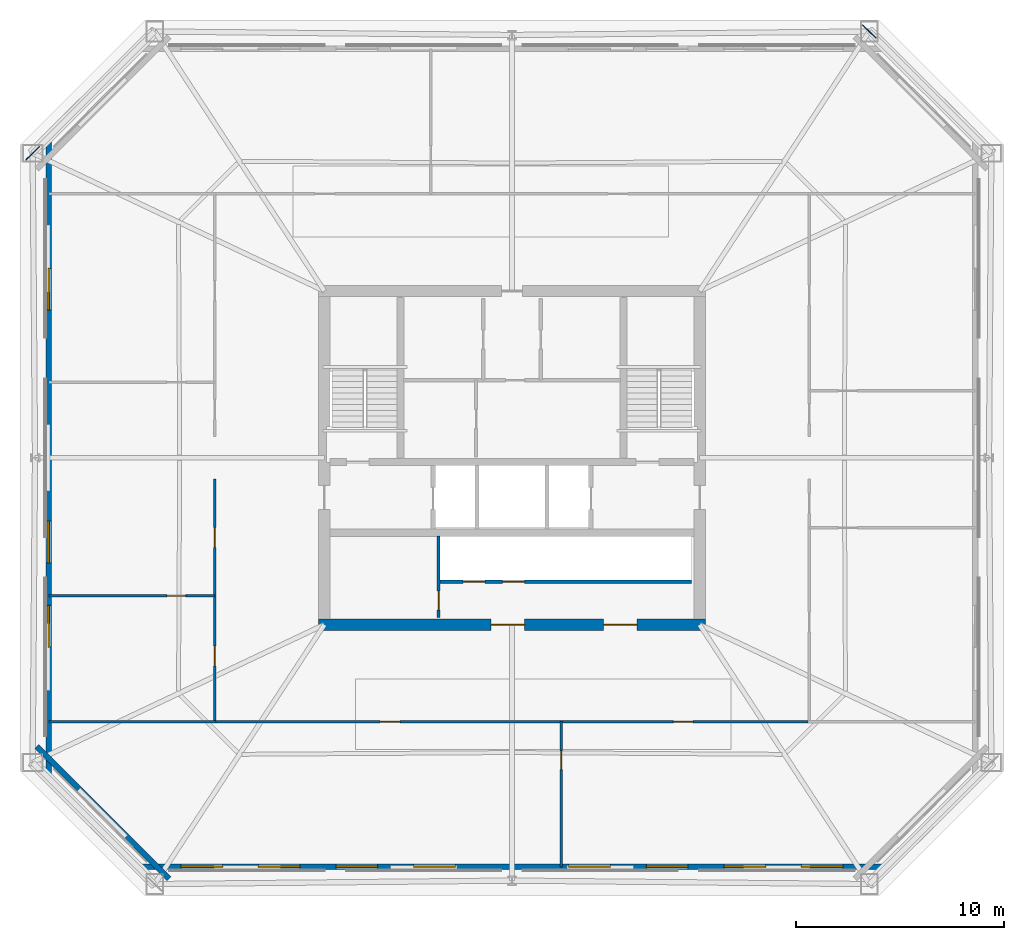
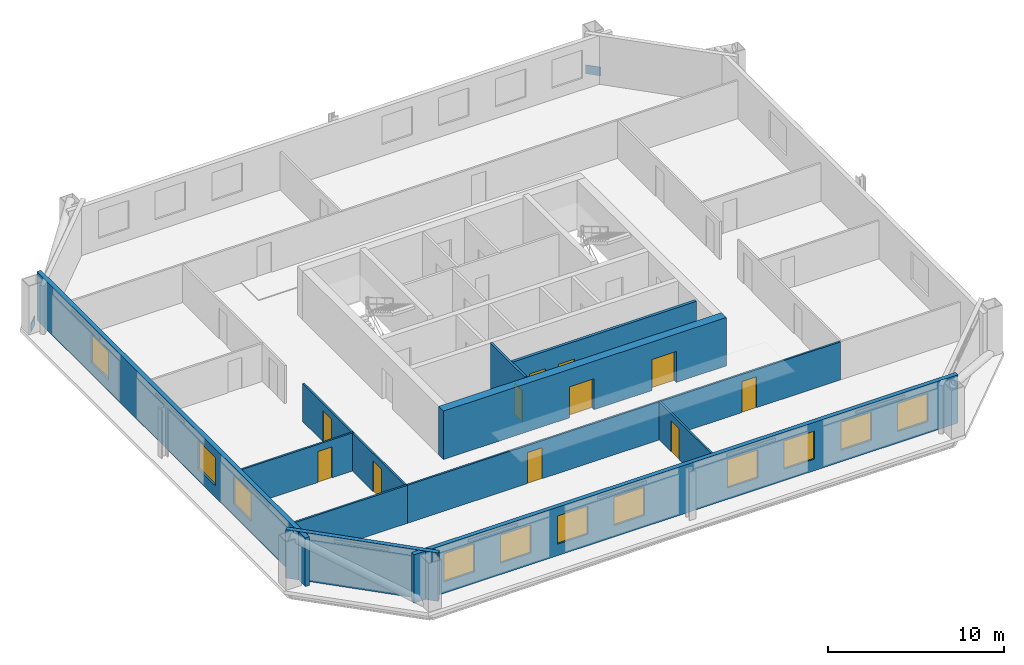
# One storey, part 2 of 6: 11 doors, 11 walls, 11 windows, 2 plates, 22 openings.
"""IFC4 building model written with IfcOpenShell, lengths in metres."""

from ifc_helpers import new_model, si_unit, direction, frame, frame_2d, origin, origin_2d, place, context, subcontext, project, spatial, rectangle, extrude, material, layer, layer_set, type_object, element, fill, save


model = new_model("IFC4")

# Units and contexts
model_context = context("Model", 3, precision=1e-05, world=origin(), true_north=direction((0.0, 1.0)))
body_context = subcontext(model_context, "Body", "Model", "MODEL_VIEW")
ifc_project = project(units=[si_unit("LENGTHUNIT", "METRE"), si_unit("AREAUNIT", "SQUARE_METRE"), si_unit("VOLUMEUNIT", "CUBIC_METRE"), si_unit("PLANEANGLEUNIT", "RADIAN"), si_unit("MASSUNIT", "GRAM", prefix="KILO")], contexts=[model_context])

# Site, building, storey
site_placement = place(None, origin())
site = spatial("IfcSite", under=ifc_project, at=site_placement, CompositionType="ELEMENT")
building_placement = place(site_placement, origin())
building = spatial("IfcBuilding", under=site, at=building_placement, Name="Caelvoria Tower", CompositionType="ELEMENT")
storey_placement = place(building_placement, frame((0.0, 0.0, 120.39990234375)))
storey = spatial("IfcBuildingStorey", under=building, at=storey_placement, Name="L31", CompositionType="ELEMENT", Elevation=120.39990234375)

# Plates
ifc_material_1 = material(Name="Structural Steel ASTM A572 Gr.50", Category="steel")
ifc_layer_1 = layer(ifc_material_1, 0.0400390625, Name="Structural Steel ASTM A572 Gr.50")
ifc_layer_set_1 = layer_set([ifc_layer_1], Name="Megaframe Node Gusset Plate 900x600x40 - Structural Steel ASTM A572 Gr.50")
plate_type = type_object("IfcPlateType", Name="Megaframe Node Gusset Plate 900x600x40", PredefinedType="USERDEFINED", material=ifc_layer_set_1)
for number, where, z_axis, x_axis, name in (
    (1, (63.137451171875, 52.4482421875, 0.02001953125), (0.0, 0.0, 1.0), (0.708345997589, -0.705865389221, 0.0), "Chamfer Mega Brace Gusset L31 NE"),
    (2, (23.007568359375, 46.61376953125, 0.02001953125), (0.0, 0.0, 1.0), (0.708345997589, 0.705865389221, 0.0), "Chamfer Mega Brace Gusset L31 NW"),
):
    element("IfcPlate", number, at=place(storey_placement, frame(where, z_axis=z_axis, x_axis=x_axis)), inside=storey, type_object=plate_type, Name=name, ObjectType="GUSSET_PLATE", PredefinedType="USERDEFINED", context=body_context, shape_type="SweptSolid", body=[
        extrude(rectangle(XDim=0.89990234375, YDim=0.0400390625, at=origin_2d()), origin(), (0.0, 0.0, 1.0), 0.60009765625),
    ])

# Wall, opening, door
ifc_material_2 = material(Name="Double Gypsum Board on Steel Stud", Category="steel")
ifc_layer_2 = layer(ifc_material_2, 0.14990234375, Name="Double Gypsum Board on Steel Stud")
ifc_layer_set_2 = layer_set([ifc_layer_2], Name="Core Service Acoustic Partition Wall 150 - Double Gypsum Board on Steel Stud")
wall_type_1 = type_object("IfcWallType", Name="Core Service Acoustic Partition Wall 150", PredefinedType="PARTITIONING", material=ifc_layer_set_2)
wall_1_placement = place(storey_placement, frame((42.47998046875, 24.35009765625, 0.0), z_axis=(0.0, 0.0, 1.0), x_axis=(0.0, 1.0, 0.0)))
wall_1 = element("IfcWall", 3, at=wall_1_placement, inside=storey, type_object=wall_type_1, Name="Interior Partition IW-L31-RECL1E", PredefinedType="PARTITIONING", context=body_context, shape_type="SweptSolid", body=[
    extrude(rectangle(XDim=3.89990234375, YDim=0.14990234375, at=frame_2d((1.949951171875, 0.0))), origin(), (0.0, 0.0, 1.0), 3.360107421875),
])
opening_1_placement = place(wall_1_placement, frame((0.35009765625, 0.0, 0.0)))
opening_1 = element("IfcOpeningElement", 4, at=opening_1_placement, cuts=wall_1, Name="Opening ID-04", PredefinedType="OPENING", context=body_context, shape_type="SweptSolid", body=[
    extrude(rectangle(XDim=0.89990234375, YDim=2.14990234375, at=frame_2d((0.449951171875, 1.074951171875))), frame((0.0, 0.0849609375, 0.0), z_axis=(0.0, -1.0, 0.0), x_axis=(1.0, 0.0, 0.0)), (0.0, 0.0, 1.0), 0.169921875),
])
ifc_material_3 = material(Name="Acoustic Timber Fire Door", Category="wood")
door_type_1 = type_object("IfcDoorType", Name="Fire Door FD30S 900x2150", OperationType="NOTDEFINED", PredefinedType="DOOR", material=ifc_material_3)
door_1_placement = place(opening_1_placement, origin())
door_1 = element("IfcDoor", 5, at=door_1_placement, inside=storey, type_object=door_type_1, Name="Interior Door DR-L31-RECL1", OperationType="SINGLE_SWING_LEFT", OverallHeight=2.14990234375, OverallWidth=0.89990234375, PredefinedType="DOOR", context=body_context, shape_type="SweptSolid", body=[
    extrude(rectangle(XDim=0.89990234375, YDim=2.14990234375, at=frame_2d((0.449951171875, 1.074951171875))), frame((0.0, 0.02490234375, 0.0), z_axis=(0.0, -1.0, 0.0), x_axis=(1.0, 0.0, 0.0)), (0.0, 0.0, 1.0), 0.050048828125),
])
fill(opening_1, door_1)

# Wall, openings, windows
ifc_material_4 = material(Name="Precast Concrete C40/50 with Bronze Cladding", Category="concrete")
ifc_layer_3 = layer(ifc_material_4, 0.280029296875, Name="Precast Concrete C40/50 with Bronze Cladding")
ifc_layer_set_3 = layer_set([ifc_layer_3], Name="Exterior Precast Concrete C40/50 Bronze-Clad Facade Wall 280 - Precast Concrete C40/50 with Bronze Cladding")
wall_type_2 = type_object("IfcWallType", Name="Exterior Precast Concrete C40/50 Bronze-Clad Facade Wall 280", PredefinedType="STANDARD", material=ifc_layer_set_3)
wall_2_placement = place(storey_placement, frame((28.159912109375, 12.3798828125, 0.0), z_axis=(0.0, 0.0, 1.0), x_axis=(1.0, 0.0, 0.0)))
wall_2 = element("IfcWall", 6, at=wall_2_placement, inside=storey, type_object=wall_type_2, Name="Exterior Facade Wall L31-E0", PredefinedType="STANDARD", context=body_context, shape_type="SweptSolid", body=[
    extrude(rectangle(XDim=35.68017578125, YDim=0.280029296875, at=frame_2d((17.840087890625, 0.0))), origin(), (0.0, 0.0, 1.0), 3.360107421875),
])
opening_2_placement = place(wall_2_placement, frame((1.9599609375, 0.0, 0.800048828125)))
opening_2 = element("IfcOpeningElement", 7, at=opening_2_placement, cuts=wall_2, Name="Opening WN-01", PredefinedType="OPENING", context=body_context, shape_type="SweptSolid", body=[
    extrude(rectangle(XDim=2.0, YDim=1.949951171875, at=frame_2d((1.0, 0.97509765625))), frame((0.0, 0.14990234375, 0.0), z_axis=(0.0, -1.0, 0.0), x_axis=(1.0, 0.0, 0.0)), (0.0, 0.0, 1.0), 0.300048828125),
])
opening_3_placement = place(wall_2_placement, frame((5.679931640625, 0.0, 0.800048828125)))
opening_3 = element("IfcOpeningElement", 8, at=opening_3_placement, cuts=wall_2, Name="Opening WN-01", PredefinedType="OPENING", context=body_context, shape_type="SweptSolid", body=[
    extrude(rectangle(XDim=2.0, YDim=1.949951171875, at=frame_2d((1.0, 0.97509765625))), frame((0.0, 0.14990234375, 0.0), z_axis=(0.0, -1.0, 0.0), x_axis=(1.0, 0.0, 0.0)), (0.0, 0.0, 1.0), 0.300048828125),
])
opening_4_placement = place(wall_2_placement, frame((9.39990234375, 0.0, 0.800048828125)))
opening_4 = element("IfcOpeningElement", 9, at=opening_4_placement, cuts=wall_2, Name="Opening WN-01", PredefinedType="OPENING", context=body_context, shape_type="SweptSolid", body=[
    extrude(rectangle(XDim=2.0, YDim=1.949951171875, at=frame_2d((1.0, 0.97509765625))), frame((0.0, 0.14990234375, 0.0), z_axis=(0.0, -1.0, 0.0), x_axis=(1.0, 0.0, 0.0)), (0.0, 0.0, 1.0), 0.300048828125),
])
opening_5_placement = place(wall_2_placement, frame((13.1201171875, 0.0, 0.800048828125)))
opening_5 = element("IfcOpeningElement", 10, at=opening_5_placement, cuts=wall_2, Name="Opening WN-01", PredefinedType="OPENING", context=body_context, shape_type="SweptSolid", body=[
    extrude(rectangle(XDim=2.0, YDim=1.949951171875, at=frame_2d((1.0, 0.97509765625))), frame((0.0, 0.14990234375, 0.0), z_axis=(0.0, -1.0, 0.0), x_axis=(1.0, 0.0, 0.0)), (0.0, 0.0, 1.0), 0.300048828125),
])
opening_6_placement = place(wall_2_placement, frame((20.56005859375, 0.0, 0.800048828125)))
opening_6 = element("IfcOpeningElement", 11, at=opening_6_placement, cuts=wall_2, Name="Opening WN-01", PredefinedType="OPENING", context=body_context, shape_type="SweptSolid", body=[
    extrude(rectangle(XDim=2.0, YDim=1.949951171875, at=frame_2d((1.0, 0.97509765625))), frame((0.0, 0.14990234375, 0.0), z_axis=(0.0, -1.0, 0.0), x_axis=(1.0, 0.0, 0.0)), (0.0, 0.0, 1.0), 0.300048828125),
])
opening_7_placement = place(wall_2_placement, frame((24.280029296875, 0.0, 0.800048828125)))
opening_7 = element("IfcOpeningElement", 12, at=opening_7_placement, cuts=wall_2, Name="Opening WN-01", PredefinedType="OPENING", context=body_context, shape_type="SweptSolid", body=[
    extrude(rectangle(XDim=2.0, YDim=1.949951171875, at=frame_2d((1.0, 0.97509765625))), frame((0.0, 0.14990234375, 0.0), z_axis=(0.0, -1.0, 0.0), x_axis=(1.0, 0.0, 0.0)), (0.0, 0.0, 1.0), 0.300048828125),
])
opening_8_placement = place(wall_2_placement, frame((28.0, 0.0, 0.800048828125)))
opening_8 = element("IfcOpeningElement", 13, at=opening_8_placement, cuts=wall_2, Name="Opening WN-01", PredefinedType="OPENING", context=body_context, shape_type="SweptSolid", body=[
    extrude(rectangle(XDim=2.0, YDim=1.949951171875, at=frame_2d((1.0, 0.97509765625))), frame((0.0, 0.14990234375, 0.0), z_axis=(0.0, -1.0, 0.0), x_axis=(1.0, 0.0, 0.0)), (0.0, 0.0, 1.0), 0.300048828125),
])
opening_9_placement = place(wall_2_placement, frame((31.719970703125, 0.0, 0.800048828125)))
opening_9 = element("IfcOpeningElement", 14, at=opening_9_placement, cuts=wall_2, Name="Opening WN-01", PredefinedType="OPENING", context=body_context, shape_type="SweptSolid", body=[
    extrude(rectangle(XDim=2.0, YDim=1.949951171875, at=frame_2d((1.0, 0.97509765625))), frame((0.0, 0.14990234375, 0.0), z_axis=(0.0, -1.0, 0.0), x_axis=(1.0, 0.0, 0.0)), (0.0, 0.0, 1.0), 0.300048828125),
])
ifc_material_5 = material(Name="Low-E Tinted Glass in Bronze Aluminium Frame", Category="aluminium")
window_type = type_object("IfcWindowType", Name="Tower Office Vision Window 2000x1950", PartitioningType="SINGLE_PANEL", PredefinedType="WINDOW", material=ifc_material_5)
window_1_placement = place(opening_2_placement, origin())
window_1 = element("IfcWindow", 15, at=window_1_placement, inside=storey, type_object=window_type, Name="Facade Window L31-E0-00", OverallHeight=1.949951171875, OverallWidth=2.0, PartitioningType="SINGLE_PANEL", PredefinedType="WINDOW", context=body_context, shape_type="SweptSolid", body=[
    extrude(rectangle(XDim=2.0, YDim=1.949951171875, at=frame_2d((1.0, 0.97509765625))), frame((0.0, 0.030029296875, 0.0), z_axis=(0.0, -1.0, 0.0), x_axis=(1.0, 0.0, 0.0)), (0.0, 0.0, 1.0), 0.06005859375),
])
fill(opening_2, window_1)
window_2_placement = place(opening_3_placement, origin())
window_2 = element("IfcWindow", 16, at=window_2_placement, inside=storey, type_object=window_type, Name="Facade Window L31-E0-01", OverallHeight=1.949951171875, OverallWidth=2.0, PartitioningType="SINGLE_PANEL", PredefinedType="WINDOW", context=body_context, shape_type="SweptSolid", body=[
    extrude(rectangle(XDim=2.0, YDim=1.949951171875, at=frame_2d((1.0, 0.97509765625))), frame((0.0, 0.030029296875, 0.0), z_axis=(0.0, -1.0, 0.0), x_axis=(1.0, 0.0, 0.0)), (0.0, 0.0, 1.0), 0.06005859375),
])
fill(opening_3, window_2)
window_3_placement = place(opening_4_placement, origin())
window_3 = element("IfcWindow", 17, at=window_3_placement, inside=storey, type_object=window_type, Name="Facade Window L31-E0-02", OverallHeight=1.949951171875, OverallWidth=2.0, PartitioningType="SINGLE_PANEL", PredefinedType="WINDOW", context=body_context, shape_type="SweptSolid", body=[
    extrude(rectangle(XDim=2.0, YDim=1.949951171875, at=frame_2d((1.0, 0.97509765625))), frame((0.0, 0.030029296875, 0.0), z_axis=(0.0, -1.0, 0.0), x_axis=(1.0, 0.0, 0.0)), (0.0, 0.0, 1.0), 0.06005859375),
])
fill(opening_4, window_3)
window_4_placement = place(opening_5_placement, origin())
window_4 = element("IfcWindow", 18, at=window_4_placement, inside=storey, type_object=window_type, Name="Facade Window L31-E0-03", OverallHeight=1.949951171875, OverallWidth=2.0, PartitioningType="SINGLE_PANEL", PredefinedType="WINDOW", context=body_context, shape_type="SweptSolid", body=[
    extrude(rectangle(XDim=2.0, YDim=1.949951171875, at=frame_2d((1.0, 0.97509765625))), frame((0.0, 0.030029296875, 0.0), z_axis=(0.0, -1.0, 0.0), x_axis=(1.0, 0.0, 0.0)), (0.0, 0.0, 1.0), 0.06005859375),
])
fill(opening_5, window_4)
window_5_placement = place(opening_6_placement, origin())
window_5 = element("IfcWindow", 19, at=window_5_placement, inside=storey, type_object=window_type, Name="Facade Window L31-E0-05", OverallHeight=1.949951171875, OverallWidth=2.0, PartitioningType="SINGLE_PANEL", PredefinedType="WINDOW", context=body_context, shape_type="SweptSolid", body=[
    extrude(rectangle(XDim=2.0, YDim=1.949951171875, at=frame_2d((1.0, 0.97509765625))), frame((0.0, 0.030029296875, 0.0), z_axis=(0.0, -1.0, 0.0), x_axis=(1.0, 0.0, 0.0)), (0.0, 0.0, 1.0), 0.06005859375),
])
fill(opening_6, window_5)
window_6_placement = place(opening_7_placement, origin())
window_6 = element("IfcWindow", 20, at=window_6_placement, inside=storey, type_object=window_type, Name="Facade Window L31-E0-06", OverallHeight=1.949951171875, OverallWidth=2.0, PartitioningType="SINGLE_PANEL", PredefinedType="WINDOW", context=body_context, shape_type="SweptSolid", body=[
    extrude(rectangle(XDim=2.0, YDim=1.949951171875, at=frame_2d((1.0, 0.97509765625))), frame((0.0, 0.030029296875, 0.0), z_axis=(0.0, -1.0, 0.0), x_axis=(1.0, 0.0, 0.0)), (0.0, 0.0, 1.0), 0.06005859375),
])
fill(opening_7, window_6)
window_7_placement = place(opening_8_placement, origin())
window_7 = element("IfcWindow", 21, at=window_7_placement, inside=storey, type_object=window_type, Name="Facade Window L31-E0-07", OverallHeight=1.949951171875, OverallWidth=2.0, PartitioningType="SINGLE_PANEL", PredefinedType="WINDOW", context=body_context, shape_type="SweptSolid", body=[
    extrude(rectangle(XDim=2.0, YDim=1.949951171875, at=frame_2d((1.0, 0.97509765625))), frame((0.0, 0.030029296875, 0.0), z_axis=(0.0, -1.0, 0.0), x_axis=(1.0, 0.0, 0.0)), (0.0, 0.0, 1.0), 0.06005859375),
])
fill(opening_8, window_7)
window_8_placement = place(opening_9_placement, origin())
window_8 = element("IfcWindow", 22, at=window_8_placement, inside=storey, type_object=window_type, Name="Facade Window L31-E0-08", OverallHeight=1.949951171875, OverallWidth=2.0, PartitioningType="SINGLE_PANEL", PredefinedType="WINDOW", context=body_context, shape_type="SweptSolid", body=[
    extrude(rectangle(XDim=2.0, YDim=1.949951171875, at=frame_2d((1.0, 0.97509765625))), frame((0.0, 0.030029296875, 0.0), z_axis=(0.0, -1.0, 0.0), x_axis=(1.0, 0.0, 0.0)), (0.0, 0.0, 1.0), 0.06005859375),
])
fill(opening_9, window_8)

wall_3_placement = place(storey_placement, frame((23.780029296875, 47.239990234375, 0.0), z_axis=(0.0, 0.0, 1.0), x_axis=(0.0, -1.0, 0.0)))
wall_3 = element("IfcWall", 23, at=wall_3_placement, inside=storey, type_object=wall_type_2, Name="Exterior Facade Wall L31-E6", PredefinedType="STANDARD", context=body_context, shape_type="SweptSolid", body=[
    extrude(rectangle(XDim=30.47998046875, YDim=0.280029296875, at=frame_2d((15.239990234375, 0.0))), origin(), (0.0, 0.0, 1.0), 3.360107421875),
])
opening_10_placement = place(wall_3_placement, frame((6.159912109375, 0.0, 0.800048828125)))
opening_10 = element("IfcOpeningElement", 24, at=opening_10_placement, cuts=wall_3, Name="Opening WN-01", PredefinedType="OPENING", context=body_context, shape_type="SweptSolid", body=[
    extrude(rectangle(XDim=2.0, YDim=1.949951171875, at=frame_2d((1.0, 0.97509765625))), frame((0.0, 0.14990234375, 0.0), z_axis=(0.0, -1.0, 0.0), x_axis=(1.0, 0.0, 0.0)), (0.0, 0.0, 1.0), 0.300048828125),
])
opening_11_placement = place(wall_3_placement, frame((18.280029296875, 0.0, 0.800048828125)))
opening_11 = element("IfcOpeningElement", 25, at=opening_11_placement, cuts=wall_3, Name="Opening WN-01", PredefinedType="OPENING", context=body_context, shape_type="SweptSolid", body=[
    extrude(rectangle(XDim=2.0, YDim=1.949951171875, at=frame_2d((1.0, 0.97509765625))), frame((0.0, 0.14990234375, 0.0), z_axis=(0.0, -1.0, 0.0), x_axis=(1.0, 0.0, 0.0)), (0.0, 0.0, 1.0), 0.300048828125),
])
opening_12_placement = place(wall_3_placement, frame((22.320068359375, 0.0, 0.800048828125)))
opening_12 = element("IfcOpeningElement", 26, at=opening_12_placement, cuts=wall_3, Name="Opening WN-01", PredefinedType="OPENING", context=body_context, shape_type="SweptSolid", body=[
    extrude(rectangle(XDim=2.0, YDim=1.949951171875, at=frame_2d((1.0, 0.97509765625))), frame((0.0, 0.14990234375, 0.0), z_axis=(0.0, -1.0, 0.0), x_axis=(1.0, 0.0, 0.0)), (0.0, 0.0, 1.0), 0.300048828125),
])
window_9_placement = place(opening_10_placement, origin())
window_9 = element("IfcWindow", 27, at=window_9_placement, inside=storey, type_object=window_type, Name="Facade Window L31-E6-01", OverallHeight=1.949951171875, OverallWidth=2.0, PartitioningType="SINGLE_PANEL", PredefinedType="WINDOW", context=body_context, shape_type="SweptSolid", body=[
    extrude(rectangle(XDim=2.0, YDim=1.949951171875, at=frame_2d((1.0, 0.97509765625))), frame((0.0, 0.030029296875, 0.0), z_axis=(0.0, -1.0, 0.0), x_axis=(1.0, 0.0, 0.0)), (0.0, 0.0, 1.0), 0.06005859375),
])
fill(opening_10, window_9)
window_10_placement = place(opening_11_placement, origin())
window_10 = element("IfcWindow", 28, at=window_10_placement, inside=storey, type_object=window_type, Name="Facade Window L31-E6-04", OverallHeight=1.949951171875, OverallWidth=2.0, PartitioningType="SINGLE_PANEL", PredefinedType="WINDOW", context=body_context, shape_type="SweptSolid", body=[
    extrude(rectangle(XDim=2.0, YDim=1.949951171875, at=frame_2d((1.0, 0.97509765625))), frame((0.0, 0.030029296875, 0.0), z_axis=(0.0, -1.0, 0.0), x_axis=(1.0, 0.0, 0.0)), (0.0, 0.0, 1.0), 0.06005859375),
])
fill(opening_11, window_10)
window_11_placement = place(opening_12_placement, origin())
window_11 = element("IfcWindow", 29, at=window_11_placement, inside=storey, type_object=window_type, Name="Facade Window L31-E6-05", OverallHeight=1.949951171875, OverallWidth=2.0, PartitioningType="SINGLE_PANEL", PredefinedType="WINDOW", context=body_context, shape_type="SweptSolid", body=[
    extrude(rectangle(XDim=2.0, YDim=1.949951171875, at=frame_2d((1.0, 0.97509765625))), frame((0.0, 0.030029296875, 0.0), z_axis=(0.0, -1.0, 0.0), x_axis=(1.0, 0.0, 0.0)), (0.0, 0.0, 1.0), 0.06005859375),
])
fill(opening_12, window_11)

# Wall
wall_4_placement = place(storey_placement, frame((23.2060546875, 18.1455078125, 0.0), z_axis=(0.0, 0.0, 1.0), x_axis=(0.707106781187, -0.707106781187, 0.0)))
element("IfcWall", 30, at=wall_4_placement, inside=storey, type_object=wall_type_2, Name="Exterior Facade Wall L31-E7", PredefinedType="STANDARD", context=body_context, shape_type="SweptSolid", body=[
    extrude(rectangle(XDim=8.965087890625, YDim=0.280029296875, at=frame_2d((4.482421875, 0.0))), origin(), (0.0, 0.0, 1.0), 3.360107421875),
])

# Wall, openings, doors
ifc_material_6 = material(Name="Concrete Block and Fireboard Assembly", Category="concrete")
ifc_layer_4 = layer(ifc_material_6, 0.179931640625, Name="Concrete Block and Fireboard Assembly")
ifc_layer_set_4 = layer_set([ifc_layer_4], Name="Fire-Rated Hoistway Partition Wall 180 - Concrete Block and Fireboard Assembly")
wall_type_3 = type_object("IfcWallType", Name="Fire-Rated Hoistway Partition Wall 180", PredefinedType="PARTITIONING", material=ifc_layer_set_4)
wall_5_placement = place(storey_placement, frame((42.550048828125, 26.050048828125, 0.0), z_axis=(0.0, 0.0, 1.0), x_axis=(1.0, 0.0, 0.0)))
wall_5 = element("IfcWall", 31, at=wall_5_placement, inside=storey, type_object=wall_type_3, Name="Interior Partition IW-L31-LFRONT", PredefinedType="PARTITIONING", context=body_context, shape_type="SweptSolid", body=[
    extrude(rectangle(XDim=12.050048828125, YDim=0.179931640625, at=frame_2d((6.02490234375, 0.0))), origin(), (0.0, 0.0, 1.0), 3.360107421875),
])
opening_13_placement = place(wall_5_placement, frame((1.10009765625, 0.0, 0.0)))
opening_13 = element("IfcOpeningElement", 32, at=opening_13_placement, cuts=wall_5, Name="Opening LD-01", PredefinedType="OPENING", context=body_context, shape_type="SweptSolid", body=[
    extrude(rectangle(XDim=1.050048828125, YDim=2.14990234375, at=frame_2d((0.52490234375, 1.074951171875))), frame((0.0, 0.099853515625, 0.0), z_axis=(0.0, -1.0, 0.0), x_axis=(1.0, 0.0, 0.0)), (0.0, 0.0, 1.0), 0.199951171875),
])
opening_14_placement = place(wall_5_placement, frame((3.0, 0.0, 0.0)))
opening_14 = element("IfcOpeningElement", 33, at=opening_14_placement, cuts=wall_5, Name="Opening LD-01", PredefinedType="OPENING", context=body_context, shape_type="SweptSolid", body=[
    extrude(rectangle(XDim=1.050048828125, YDim=2.14990234375, at=frame_2d((0.52490234375, 1.074951171875))), frame((0.0, 0.099853515625, 0.0), z_axis=(0.0, -1.0, 0.0), x_axis=(1.0, 0.0, 0.0)), (0.0, 0.0, 1.0), 0.199951171875),
])
ifc_material_7 = material(Name="Brushed Bronze Stainless Sliding Landing Door", Category="aluminium")
door_type_2 = type_object("IfcDoorType", Name="Lift Landing Sliding Door 1100x2150", OperationType="NOTDEFINED", PredefinedType="DOOR", material=ifc_material_7)
door_2_placement = place(opening_13_placement, origin())
door_2 = element("IfcDoor", 34, at=door_2_placement, inside=storey, type_object=door_type_2, Name="Interior Door LD-L31-PM1", OperationType="SLIDING_TO_LEFT", OverallHeight=2.14990234375, OverallWidth=1.050048828125, PredefinedType="DOOR", context=body_context, shape_type="SweptSolid", body=[
    extrude(rectangle(XDim=1.050048828125, YDim=2.14990234375, at=frame_2d((0.52490234375, 1.074951171875))), frame((0.0, 0.02490234375, 0.0), z_axis=(0.0, -1.0, 0.0), x_axis=(1.0, 0.0, 0.0)), (0.0, 0.0, 1.0), 0.050048828125),
])
fill(opening_13, door_2)
door_3_placement = place(opening_14_placement, origin())
door_3 = element("IfcDoor", 35, at=door_3_placement, inside=storey, type_object=door_type_2, Name="Interior Door LD-L31-PM2", OperationType="SLIDING_TO_RIGHT", OverallHeight=2.14990234375, OverallWidth=1.050048828125, PredefinedType="DOOR", context=body_context, shape_type="SweptSolid", body=[
    extrude(rectangle(XDim=1.050048828125, YDim=2.14990234375, at=frame_2d((0.52490234375, 1.074951171875))), frame((0.0, 0.02490234375, 0.0), z_axis=(0.0, -1.0, 0.0), x_axis=(1.0, 0.0, 0.0)), (0.0, 0.0, 1.0), 0.050048828125),
])
fill(opening_14, door_3)

ifc_material_8 = material(Name="Concrete C55/67", Category="concrete")
ifc_layer_5 = layer(ifc_material_8, 0.550048828125, Name="Concrete C55/67")
ifc_layer_set_5 = layer_set([ifc_layer_5], Name="Mid Core Shear Wall 550 - Concrete C55/67")
wall_type_4 = type_object("IfcWallType", Name="Mid Core Shear Wall 550", PredefinedType="SHEAR", material=ifc_layer_set_5)
wall_6_placement = place(storey_placement, frame((36.72509765625, 24.0, 0.0), z_axis=(0.0, 0.0, 1.0), x_axis=(1.0, 0.0, 0.0)))
wall_6 = element("IfcWall", 36, at=wall_6_placement, inside=storey, type_object=wall_type_4, Name="Core Shear Wall L31 S", PredefinedType="SHEAR", context=body_context, shape_type="SweptSolid", body=[
    extrude(rectangle(XDim=18.5498046875, YDim=0.550048828125, at=frame_2d((9.27490234375, 0.0))), origin(), (0.0, 0.0, 1.0), 3.360107421875),
])
opening_15_placement = place(wall_6_placement, frame((8.27490234375, 0.0, 0.0)))
opening_15 = element("IfcOpeningElement", 37, at=opening_15_placement, cuts=wall_6, Name="Opening ID-08", PredefinedType="OPENING", context=body_context, shape_type="SweptSolid", body=[
    extrude(rectangle(XDim=1.60009765625, YDim=2.14990234375, at=frame_2d((0.800048828125, 1.074951171875))), frame((0.0, 0.284912109375, 0.0), z_axis=(0.0, -1.0, 0.0), x_axis=(1.0, 0.0, 0.0)), (0.0, 0.0, 1.0), 0.570068359375),
])
opening_16_placement = place(wall_6_placement, frame((13.675048828125, 0.0, 0.0)))
opening_16 = element("IfcOpeningElement", 38, at=opening_16_placement, cuts=wall_6, Name="Opening ID-08", PredefinedType="OPENING", context=body_context, shape_type="SweptSolid", body=[
    extrude(rectangle(XDim=1.60009765625, YDim=2.14990234375, at=frame_2d((0.800048828125, 1.074951171875))), frame((0.0, 0.284912109375, 0.0), z_axis=(0.0, -1.0, 0.0), x_axis=(1.0, 0.0, 0.0)), (0.0, 0.0, 1.0), 0.570068359375),
])
ifc_material_9 = material(Name="Bronze-Framed Fire-Rated Glazed Double Door", Category="aluminium")
door_type_3 = type_object("IfcDoorType", Name="Double Lobby Glazed Door 1600x2200", OperationType="NOTDEFINED", PredefinedType="DOOR", material=ifc_material_9)
door_4_placement = place(opening_15_placement, origin())
door_4 = element("IfcDoor", 39, at=door_4_placement, inside=storey, type_object=door_type_3, Name="Core Door DR-L31-LLOB-S1", OperationType="DOUBLE_DOOR_SINGLE_SWING", OverallHeight=2.14990234375, OverallWidth=1.60009765625, PredefinedType="DOOR", context=body_context, shape_type="SweptSolid", body=[
    extrude(rectangle(XDim=1.60009765625, YDim=2.14990234375, at=frame_2d((0.800048828125, 1.074951171875))), frame((0.0, 0.02490234375, 0.0), z_axis=(0.0, -1.0, 0.0), x_axis=(1.0, 0.0, 0.0)), (0.0, 0.0, 1.0), 0.050048828125),
])
fill(opening_15, door_4)
door_5_placement = place(opening_16_placement, origin())
door_5 = element("IfcDoor", 40, at=door_5_placement, inside=storey, type_object=door_type_3, Name="Core Door DR-L31-LLOB-S2", OperationType="DOUBLE_DOOR_SINGLE_SWING", OverallHeight=2.14990234375, OverallWidth=1.60009765625, PredefinedType="DOOR", context=body_context, shape_type="SweptSolid", body=[
    extrude(rectangle(XDim=1.60009765625, YDim=2.14990234375, at=frame_2d((0.800048828125, 1.074951171875))), frame((0.0, 0.02490234375, 0.0), z_axis=(0.0, -1.0, 0.0), x_axis=(1.0, 0.0, 0.0)), (0.0, 0.0, 1.0), 0.050048828125),
])
fill(opening_16, door_5)

# Wall, opening, door
ifc_material_10 = material(Name="Acoustic Gypsum Board on Light-Gauge Stud", Category="gypsum")
ifc_layer_6 = layer(ifc_material_10, 0.1201171875, Name="Acoustic Gypsum Board on Light-Gauge Stud")
ifc_layer_set_6 = layer_set([ifc_layer_6], Name="Tenant Suite Acoustic Partition Wall 120 - Acoustic Gypsum Board on Light-Gauge Stud")
wall_type_5 = type_object("IfcWallType", Name="Tenant Suite Acoustic Partition Wall 120", PredefinedType="PARTITIONING", material=ifc_layer_set_6)
wall_7_placement = place(storey_placement, frame((48.366455078125, 19.340087890625, 0.0), z_axis=(0.0, 0.0, 1.0), x_axis=(0.0, -1.0, 0.0)))
wall_7 = element("IfcWall", 41, at=wall_7_placement, inside=storey, type_object=wall_type_5, Name="Interior Partition IW-L31-SD-00-0", PredefinedType="PARTITIONING", context=body_context, shape_type="SweptSolid", body=[
    extrude(rectangle(XDim=6.960205078125, YDim=0.1201171875, at=frame_2d((3.47998046875, 0.0))), origin(), (0.0, 0.0, 1.0), 2.64013671875),
])
opening_17_placement = place(wall_7_placement, frame((1.39990234375, 0.0, 0.0)))
opening_17 = element("IfcOpeningElement", 42, at=opening_17_placement, cuts=wall_7, Name="Opening ID-06", PredefinedType="OPENING", context=body_context, shape_type="SweptSolid", body=[
    extrude(rectangle(XDim=0.89990234375, YDim=2.14990234375, at=frame_2d((0.449951171875, 1.074951171875))), frame((0.0, 0.070068359375, 0.0), z_axis=(0.0, -1.0, 0.0), x_axis=(1.0, 0.0, 0.0)), (0.0, 0.0, 1.0), 0.14013671875),
])
ifc_material_11 = material(Name="Engineered Andean Oak Veneer Door", Category="wood")
door_type_4 = type_object("IfcDoorType", Name="Interior Timber Door 900x2150", OperationType="NOTDEFINED", PredefinedType="DOOR", material=ifc_material_11)
door_6_placement = place(opening_17_placement, origin())
door_6 = element("IfcDoor", 43, at=door_6_placement, inside=storey, type_object=door_type_4, Name="Interior Door DR-L31-SM-00-0", OperationType="SINGLE_SWING_RIGHT", OverallHeight=2.14990234375, OverallWidth=0.89990234375, PredefinedType="DOOR", context=body_context, shape_type="SweptSolid", body=[
    extrude(rectangle(XDim=0.89990234375, YDim=2.14990234375, at=frame_2d((0.449951171875, 1.074951171875))), frame((0.0, 0.02490234375, 0.0), z_axis=(0.0, -1.0, 0.0), x_axis=(1.0, 0.0, 0.0)), (0.0, 0.0, 1.0), 0.050048828125),
])
fill(opening_17, door_6)

# Wall, openings, doors
wall_8_placement = place(storey_placement, frame((31.800048828125, 19.340087890625, 0.0), z_axis=(0.0, 0.0, 1.0), x_axis=(1.0, 0.0, 0.0)))
wall_8 = element("IfcWall", 44, at=wall_8_placement, inside=storey, type_object=wall_type_5, Name="Interior Partition IW-L31-SCW-0", PredefinedType="PARTITIONING", context=body_context, shape_type="SweptSolid", body=[
    extrude(rectangle(XDim=28.39990234375, YDim=0.1201171875, at=frame_2d((14.199951171875, 0.0))), origin(), (0.0, 0.0, 1.0), 2.64013671875),
])
opening_18_placement = place(wall_8_placement, frame((7.878173828125, 0.0, 0.0)))
opening_18 = element("IfcOpeningElement", 45, at=opening_18_placement, cuts=wall_8, Name="Opening ID-05", PredefinedType="OPENING", context=body_context, shape_type="SweptSolid", body=[
    extrude(rectangle(XDim=0.949951171875, YDim=2.14990234375, at=frame_2d((0.47509765625, 1.074951171875))), frame((0.0, 0.070068359375, 0.0), z_axis=(0.0, -1.0, 0.0), x_axis=(1.0, 0.0, 0.0)), (0.0, 0.0, 1.0), 0.14013671875),
])
opening_19_placement = place(wall_8_placement, frame((21.938232421875, 0.0, 0.0)))
opening_19 = element("IfcOpeningElement", 46, at=opening_19_placement, cuts=wall_8, Name="Opening ID-05", PredefinedType="OPENING", context=body_context, shape_type="SweptSolid", body=[
    extrude(rectangle(XDim=0.949951171875, YDim=2.14990234375, at=frame_2d((0.47509765625, 1.074951171875))), frame((0.0, 0.070068359375, 0.0), z_axis=(0.0, -1.0, 0.0), x_axis=(1.0, 0.0, 0.0)), (0.0, 0.0, 1.0), 0.14013671875),
])
door_type_5 = type_object("IfcDoorType", Name="Interior Timber Door 950x2150", OperationType="NOTDEFINED", PredefinedType="DOOR", material=ifc_material_11)
door_7_placement = place(opening_18_placement, origin())
door_7 = element("IfcDoor", 47, at=door_7_placement, inside=storey, type_object=door_type_5, Name="Interior Door DR-L31-SC-00-0", OperationType="SINGLE_SWING_RIGHT", OverallHeight=2.14990234375, OverallWidth=0.949951171875, PredefinedType="DOOR", context=body_context, shape_type="SweptSolid", body=[
    extrude(rectangle(XDim=0.949951171875, YDim=2.14990234375, at=frame_2d((0.47509765625, 1.074951171875))), frame((0.0, 0.02490234375, 0.0), z_axis=(0.0, -1.0, 0.0), x_axis=(1.0, 0.0, 0.0)), (0.0, 0.0, 1.0), 0.050048828125),
])
fill(opening_18, door_7)
door_8_placement = place(opening_19_placement, origin())
door_8 = element("IfcDoor", 48, at=door_8_placement, inside=storey, type_object=door_type_5, Name="Interior Door DR-L31-SC-01-0", OperationType="SINGLE_SWING_LEFT", OverallHeight=2.14990234375, OverallWidth=0.949951171875, PredefinedType="DOOR", context=body_context, shape_type="SweptSolid", body=[
    extrude(rectangle(XDim=0.949951171875, YDim=2.14990234375, at=frame_2d((0.47509765625, 1.074951171875))), frame((0.0, 0.02490234375, 0.0), z_axis=(0.0, -1.0, 0.0), x_axis=(1.0, 0.0, 0.0)), (0.0, 0.0, 1.0), 0.050048828125),
])
fill(opening_19, door_8)

# Wall, opening, door
wall_9_placement = place(storey_placement, frame((31.739990234375, 25.382568359375, 0.0), z_axis=(0.0, 0.0, 1.0), x_axis=(-1.0, 0.0, 0.0)))
wall_9 = element("IfcWall", 49, at=wall_9_placement, inside=storey, type_object=wall_type_5, Name="Interior Partition IW-L31-WD-00-0", PredefinedType="PARTITIONING", context=body_context, shape_type="SweptSolid", body=[
    extrude(rectangle(XDim=7.9599609375, YDim=0.1201171875, at=frame_2d((3.97998046875, 0.0))), origin(), (0.0, 0.0, 1.0), 2.64013671875),
])
opening_20_placement = place(wall_9_placement, frame((1.39990234375, 0.0, 0.0)))
opening_20 = element("IfcOpeningElement", 50, at=opening_20_placement, cuts=wall_9, Name="Opening ID-06", PredefinedType="OPENING", context=body_context, shape_type="SweptSolid", body=[
    extrude(rectangle(XDim=0.89990234375, YDim=2.14990234375, at=frame_2d((0.449951171875, 1.074951171875))), frame((0.0, 0.070068359375, 0.0), z_axis=(0.0, -1.0, 0.0), x_axis=(1.0, 0.0, 0.0)), (0.0, 0.0, 1.0), 0.14013671875),
])
door_9_placement = place(opening_20_placement, origin())
door_9 = element("IfcDoor", 51, at=door_9_placement, inside=storey, type_object=door_type_4, Name="Interior Door DR-L31-WM-00-0", OperationType="SINGLE_SWING_RIGHT", OverallHeight=2.14990234375, OverallWidth=0.89990234375, PredefinedType="DOOR", context=body_context, shape_type="SweptSolid", body=[
    extrude(rectangle(XDim=0.89990234375, YDim=2.14990234375, at=frame_2d((0.449951171875, 1.074951171875))), frame((0.0, 0.02490234375, 0.0), z_axis=(0.0, -1.0, 0.0), x_axis=(1.0, 0.0, 0.0)), (0.0, 0.0, 1.0), 0.050048828125),
])
fill(opening_20, door_9)

# Wall, openings, doors
wall_10_placement = place(storey_placement, frame((31.739990234375, 19.39990234375, 0.0), z_axis=(0.0, 0.0, 1.0), x_axis=(0.0, 1.0, 0.0)))
wall_10 = element("IfcWall", 52, at=wall_10_placement, inside=storey, type_object=wall_type_5, Name="Interior Partition IW-L31-WCW-0", PredefinedType="PARTITIONING", context=body_context, shape_type="SweptSolid", body=[
    extrude(rectangle(XDim=11.580078125, YDim=0.1201171875, at=frame_2d((5.7900390625, 0.0))), origin(), (0.0, 0.0, 1.0), 2.64013671875),
])
opening_21_placement = place(wall_10_placement, frame((2.6162109375, 0.0, 0.0)))
opening_21 = element("IfcOpeningElement", 53, at=opening_21_placement, cuts=wall_10, Name="Opening ID-05", PredefinedType="OPENING", context=body_context, shape_type="SweptSolid", body=[
    extrude(rectangle(XDim=0.949951171875, YDim=2.14990234375, at=frame_2d((0.47509765625, 1.074951171875))), frame((0.0, 0.070068359375, 0.0), z_axis=(0.0, -1.0, 0.0), x_axis=(1.0, 0.0, 0.0)), (0.0, 0.0, 1.0), 0.14013671875),
])
opening_22_placement = place(wall_10_placement, frame((8.306396484375, 0.0, 0.0)))
opening_22 = element("IfcOpeningElement", 54, at=opening_22_placement, cuts=wall_10, Name="Opening ID-05", PredefinedType="OPENING", context=body_context, shape_type="SweptSolid", body=[
    extrude(rectangle(XDim=0.949951171875, YDim=2.14990234375, at=frame_2d((0.47509765625, 1.074951171875))), frame((0.0, 0.070068359375, 0.0), z_axis=(0.0, -1.0, 0.0), x_axis=(1.0, 0.0, 0.0)), (0.0, 0.0, 1.0), 0.14013671875),
])
door_10_placement = place(opening_21_placement, origin())
door_10 = element("IfcDoor", 55, at=door_10_placement, inside=storey, type_object=door_type_5, Name="Interior Door DR-L31-WC-00-0", OperationType="SINGLE_SWING_RIGHT", OverallHeight=2.14990234375, OverallWidth=0.949951171875, PredefinedType="DOOR", context=body_context, shape_type="SweptSolid", body=[
    extrude(rectangle(XDim=0.949951171875, YDim=2.14990234375, at=frame_2d((0.47509765625, 1.074951171875))), frame((0.0, 0.02490234375, 0.0), z_axis=(0.0, -1.0, 0.0), x_axis=(1.0, 0.0, 0.0)), (0.0, 0.0, 1.0), 0.050048828125),
])
fill(opening_21, door_10)
door_11_placement = place(opening_22_placement, origin())
door_11 = element("IfcDoor", 56, at=door_11_placement, inside=storey, type_object=door_type_5, Name="Interior Door DR-L31-WC-01-1", OperationType="SINGLE_SWING_RIGHT", OverallHeight=2.14990234375, OverallWidth=0.949951171875, PredefinedType="DOOR", context=body_context, shape_type="SweptSolid", body=[
    extrude(rectangle(XDim=0.949951171875, YDim=2.14990234375, at=frame_2d((0.47509765625, 1.074951171875))), frame((0.0, 0.02490234375, 0.0), z_axis=(0.0, -1.0, 0.0), x_axis=(1.0, 0.0, 0.0)), (0.0, 0.0, 1.0), 0.050048828125),
])
fill(opening_22, door_11)

# Wall
wall_11_placement = place(storey_placement, frame((31.800048828125, 19.340087890625, 0.0), z_axis=(0.0, 0.0, 1.0), x_axis=(-1.0, 0.0, 0.0)))
element("IfcWall", 57, at=wall_11_placement, inside=storey, type_object=wall_type_5, Name="Interior Partition IW-L31-BSW-0", PredefinedType="PARTITIONING", context=body_context, shape_type="SweptSolid", body=[
    extrude(rectangle(XDim=8.02001953125, YDim=0.1201171875, at=frame_2d((4.010009765625, 0.0))), origin(), (0.0, 0.0, 1.0), 2.64013671875),
])

save(model, "model.ifc")
